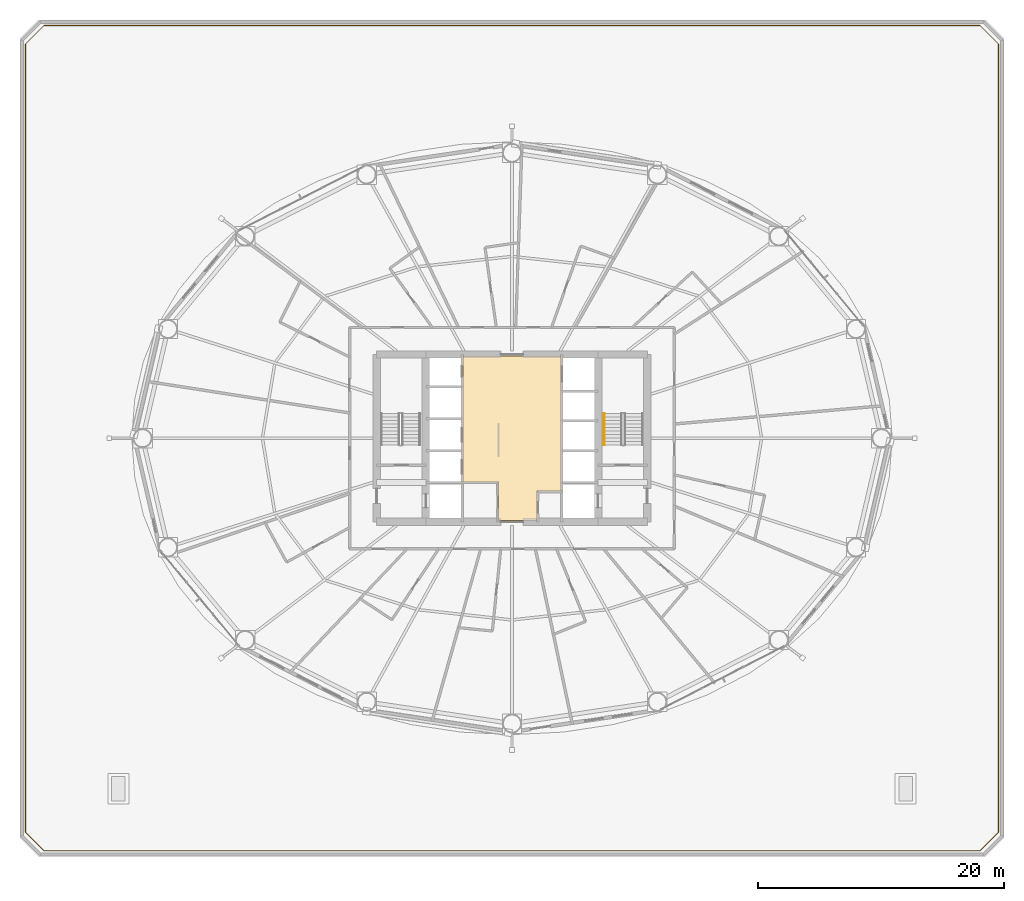
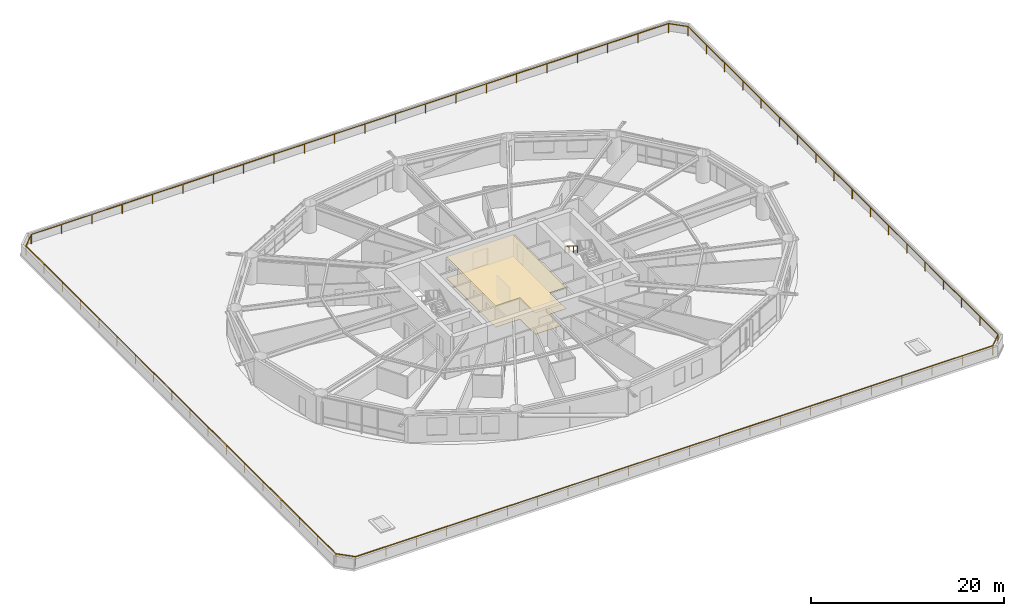
# One storey, part 29 of 30: 2 coverings, 2 railings.
"""IFC4 building model written with IfcOpenShell, lengths in metres."""

from ifc_helpers import new_model, si_unit, direction, frame, origin, origin_2d, place, context, subcontext, project, spatial, polyline, rectangle, outline, extrude, material, layer, layer_set, type_object, element, save


model = new_model("IFC4")

# Units and contexts
model_context = context("Model", 3, precision=1e-05, world=origin(), true_north=direction((0.0, 1.0)))
body_context = subcontext(model_context, "Body", "Model", "MODEL_VIEW")
ifc_project = project(units=[si_unit("LENGTHUNIT", "METRE"), si_unit("AREAUNIT", "SQUARE_METRE"), si_unit("VOLUMEUNIT", "CUBIC_METRE"), si_unit("PLANEANGLEUNIT", "RADIAN"), si_unit("MASSUNIT", "GRAM", prefix="KILO")], contexts=[model_context])

# Site, building, storey
site_placement = place(None, origin())
site = spatial("IfcSite", under=ifc_project, at=site_placement, CompositionType="ELEMENT")
building_placement = place(site_placement, origin())
building = spatial("IfcBuilding", under=site, at=building_placement, Name="Sarneth Arch Tower", CompositionType="ELEMENT")
storey_placement = place(building_placement, frame((0.0, 0.0, 28.199951171875)))
storey = spatial("IfcBuildingStorey", under=building, at=storey_placement, Name="L05", CompositionType="ELEMENT", Elevation=28.199951171875)

# Coverings
ifc_material_1 = material(Name="Perforated acoustic gypsum ceiling board")
ifc_layer_1 = layer(ifc_material_1, 0.02490234375)
ifc_layer_set_1 = layer_set([ifc_layer_1], Name="Perforated acoustic gypsum ceiling board")
covering_type_1 = type_object("IfcCoveringType", Name="COV-CEIL-GYP", PredefinedType="CEILING", material=ifc_layer_set_1)
covering_1_placement = place(storey_placement, frame((0.0, 0.0, 2.7099609375)))
element("IfcCovering", 1, at=covering_1_placement, inside=storey, type_object=covering_type_1, Name="L05 Lift lobby acoustic ceiling", PredefinedType="CEILING", context=body_context, shape_type="SweptSolid", body=[
    extrude(outline(polyline([(52.0, 37.699951171875), (50.050048828125, 37.699951171875), (50.050048828125, 35.300048828125), (46.89990234375, 35.300048828125), (46.89990234375, 38.449951171875), (44.0, 38.449951171875), (44.0, 48.699951171875), (52.0, 48.699951171875), (52.0, 37.699951171875)])), origin(), (0.0, 0.0, 1.0), 0.030029296875),
])
ifc_material_2 = material(Name="Honed granite stone flooring", Category="masonry")
ifc_layer_2 = layer(ifc_material_2, 0.030029296875)
ifc_layer_set_2 = layer_set([ifc_layer_2], Name="Honed granite stone flooring")
covering_type_2 = type_object("IfcCoveringType", Name="COV-FLR-STONE", PredefinedType="FLOORING", material=ifc_layer_set_2)
covering_2_placement = place(storey_placement, origin())
element("IfcCovering", 2, at=covering_2_placement, inside=storey, type_object=covering_type_2, Name="L05 Lift lobby granite flooring", PredefinedType="FLOORING", context=body_context, shape_type="SweptSolid", body=[
    extrude(outline(polyline([(52.0, 37.699951171875), (50.050048828125, 37.699951171875), (50.050048828125, 35.300048828125), (46.89990234375, 35.300048828125), (46.89990234375, 38.449951171875), (44.0, 38.449951171875), (44.0, 48.699951171875), (52.0, 48.699951171875), (52.0, 37.699951171875)])), origin(), (0.0, 0.0, 1.0), 0.030029296875),
])

# Railings
ifc_material_3 = material(Name="Laminated structural glass infill with Stainless Steel 316 top rail and posts", Category="steel")
railing_type_1 = type_object("IfcRailingType", Name="RAIL-BALC-1200", PredefinedType="BALUSTRADE", material=ifc_material_3)
railing_1_placement = place(storey_placement, frame((9.949951171875, 8.449951171875, 0.0)))
element("IfcRailing", 3, at=railing_1_placement, inside=storey, type_object=railing_type_1, Name="L05 Helical balcony glass balustrade", PredefinedType="BALUSTRADE", context=body_context, shape_type="SweptSolid", body=[
    extrude(rectangle(XDim=0.048095703125, YDim=0.048095703125, at=origin_2d()), frame((0.0, 0.0, 1.17578125), z_axis=(1.0, 0.0, 0.0), x_axis=(0.0, 1.0, 0.0)), (0.0, 0.0, 1.0), 76.10009765625),
    extrude(rectangle(XDim=0.048095703125, YDim=0.048095703125, at=origin_2d()), frame((76.10009765625, 0.0, 1.17578125), z_axis=(0.707106781187, 0.707106781187, 0.0), x_axis=(-0.707106781187, 0.707106781187, 0.0)), (0.0, 0.0, 1.0), 2.121337890625),
    extrude(rectangle(XDim=0.048095703125, YDim=0.048095703125, at=origin_2d()), frame((77.60009765625, 1.5, 1.17578125), z_axis=(0.0, 1.0, 0.0), x_axis=(-1.0, 0.0, 0.0)), (0.0, 0.0, 1.0), 64.10009765625),
    extrude(rectangle(XDim=0.048095703125, YDim=0.048095703125, at=origin_2d()), frame((77.60009765625, 65.60009765625, 1.17578125), z_axis=(-0.707106781187, 0.707106781187, 0.0), x_axis=(-0.707106781187, -0.707106781187, 0.0)), (0.0, 0.0, 1.0), 2.121337890625),
    extrude(rectangle(XDim=0.048095703125, YDim=0.048095703125, at=origin_2d()), frame((76.10009765625, 67.10009765625, 1.17578125), z_axis=(-1.0, 0.0, 0.0), x_axis=(0.0, -1.0, 0.0)), (0.0, 0.0, 1.0), 76.10009765625),
    extrude(rectangle(XDim=0.048095703125, YDim=0.048095703125, at=origin_2d()), frame((0.0, 67.10009765625, 1.17578125), z_axis=(-0.707106781187, -0.707106781187, 0.0), x_axis=(0.707106781187, -0.707106781187, 0.0)), (0.0, 0.0, 1.0), 2.121337890625),
    extrude(rectangle(XDim=0.048095703125, YDim=0.048095703125, at=origin_2d()), frame((-1.5, 65.60009765625, 1.17578125), z_axis=(0.0, -1.0, 0.0), x_axis=(1.0, 0.0, 0.0)), (0.0, 0.0, 1.0), 64.10009765625),
    extrude(rectangle(XDim=0.048095703125, YDim=0.048095703125, at=origin_2d()), frame((-1.5, 1.5, 1.17578125), z_axis=(0.707106781187, -0.707106781187, 0.0), x_axis=(0.707106781187, 0.707106781187, 0.0)), (0.0, 0.0, 1.0), 2.121337890625),
    extrude(rectangle(XDim=0.0419921875, YDim=0.0419921875, at=origin_2d()), origin(), (0.0, 0.0, 1.0), 1.15185546875),
    extrude(rectangle(XDim=0.0419921875, YDim=0.0419921875, at=origin_2d()), frame((3.623779296875, 0.0, 0.0)), (0.0, 0.0, 1.0), 1.15185546875),
    extrude(rectangle(XDim=0.0419921875, YDim=0.0419921875, at=origin_2d()), frame((7.24755859375, 0.0, 0.0)), (0.0, 0.0, 1.0), 1.15185546875),
    extrude(rectangle(XDim=0.0419921875, YDim=0.0419921875, at=origin_2d()), frame((10.871337890625, 0.0, 0.0)), (0.0, 0.0, 1.0), 1.15185546875),
    extrude(rectangle(XDim=0.0419921875, YDim=0.0419921875, at=origin_2d()), frame((14.495361328125, 0.0, 0.0)), (0.0, 0.0, 1.0), 1.15185546875),
    extrude(rectangle(XDim=0.0419921875, YDim=0.0419921875, at=origin_2d()), frame((18.119140625, 0.0, 0.0)), (0.0, 0.0, 1.0), 1.15185546875),
    extrude(rectangle(XDim=0.0419921875, YDim=0.0419921875, at=origin_2d()), frame((21.742919921875, 0.0, 0.0)), (0.0, 0.0, 1.0), 1.15185546875),
    extrude(rectangle(XDim=0.0419921875, YDim=0.0419921875, at=origin_2d()), frame((25.36669921875, 0.0, 0.0)), (0.0, 0.0, 1.0), 1.15185546875),
    extrude(rectangle(XDim=0.0419921875, YDim=0.0419921875, at=origin_2d()), frame((28.990478515625, 0.0, 0.0)), (0.0, 0.0, 1.0), 1.15185546875),
    extrude(rectangle(XDim=0.0419921875, YDim=0.0419921875, at=origin_2d()), frame((32.6142578125, 0.0, 0.0)), (0.0, 0.0, 1.0), 1.15185546875),
    extrude(rectangle(XDim=0.0419921875, YDim=0.0419921875, at=origin_2d()), frame((36.238037109375, 0.0, 0.0)), (0.0, 0.0, 1.0), 1.15185546875),
    extrude(rectangle(XDim=0.0419921875, YDim=0.0419921875, at=origin_2d()), frame((39.862060546875, 0.0, 0.0)), (0.0, 0.0, 1.0), 1.15185546875),
    extrude(rectangle(XDim=0.0419921875, YDim=0.0419921875, at=origin_2d()), frame((43.48583984375, 0.0, 0.0)), (0.0, 0.0, 1.0), 1.15185546875),
    extrude(rectangle(XDim=0.0419921875, YDim=0.0419921875, at=origin_2d()), frame((47.109619140625, 0.0, 0.0)), (0.0, 0.0, 1.0), 1.15185546875),
    extrude(rectangle(XDim=0.0419921875, YDim=0.0419921875, at=origin_2d()), frame((50.7333984375, 0.0, 0.0)), (0.0, 0.0, 1.0), 1.15185546875),
    extrude(rectangle(XDim=0.0419921875, YDim=0.0419921875, at=origin_2d()), frame((54.357177734375, 0.0, 0.0)), (0.0, 0.0, 1.0), 1.15185546875),
    extrude(rectangle(XDim=0.0419921875, YDim=0.0419921875, at=origin_2d()), frame((57.98095703125, 0.0, 0.0)), (0.0, 0.0, 1.0), 1.15185546875),
    extrude(rectangle(XDim=0.0419921875, YDim=0.0419921875, at=origin_2d()), frame((61.604736328125, 0.0, 0.0)), (0.0, 0.0, 1.0), 1.15185546875),
    extrude(rectangle(XDim=0.0419921875, YDim=0.0419921875, at=origin_2d()), frame((65.228759765625, 0.0, 0.0)), (0.0, 0.0, 1.0), 1.15185546875),
    extrude(rectangle(XDim=0.0419921875, YDim=0.0419921875, at=origin_2d()), frame((68.8525390625, 0.0, 0.0)), (0.0, 0.0, 1.0), 1.15185546875),
    extrude(rectangle(XDim=0.0419921875, YDim=0.0419921875, at=origin_2d()), frame((72.476318359375, 0.0, 0.0)), (0.0, 0.0, 1.0), 1.15185546875),
    extrude(rectangle(XDim=0.0419921875, YDim=0.0419921875, at=origin_2d()), frame((76.10009765625, 0.0, 0.0)), (0.0, 0.0, 1.0), 1.15185546875),
    extrude(rectangle(XDim=0.0419921875, YDim=0.0419921875, at=origin_2d()), frame((77.60009765625, 1.5, 0.0)), (0.0, 0.0, 1.0), 1.15185546875),
    extrude(rectangle(XDim=0.0419921875, YDim=0.0419921875, at=origin_2d()), frame((77.60009765625, 5.2705078125, 0.0)), (0.0, 0.0, 1.0), 1.15185546875),
    extrude(rectangle(XDim=0.0419921875, YDim=0.0419921875, at=origin_2d()), frame((77.60009765625, 9.041259765625, 0.0)), (0.0, 0.0, 1.0), 1.15185546875),
    extrude(rectangle(XDim=0.0419921875, YDim=0.0419921875, at=origin_2d()), frame((77.60009765625, 12.811767578125, 0.0)), (0.0, 0.0, 1.0), 1.15185546875),
    extrude(rectangle(XDim=0.0419921875, YDim=0.0419921875, at=origin_2d()), frame((77.60009765625, 16.582275390625, 0.0)), (0.0, 0.0, 1.0), 1.15185546875),
    extrude(rectangle(XDim=0.0419921875, YDim=0.0419921875, at=origin_2d()), frame((77.60009765625, 20.35302734375, 0.0)), (0.0, 0.0, 1.0), 1.15185546875),
    extrude(rectangle(XDim=0.0419921875, YDim=0.0419921875, at=origin_2d()), frame((77.60009765625, 24.12353515625, 0.0)), (0.0, 0.0, 1.0), 1.15185546875),
    extrude(rectangle(XDim=0.0419921875, YDim=0.0419921875, at=origin_2d()), frame((77.60009765625, 27.89404296875, 0.0)), (0.0, 0.0, 1.0), 1.15185546875),
    extrude(rectangle(XDim=0.0419921875, YDim=0.0419921875, at=origin_2d()), frame((77.60009765625, 31.664794921875, 0.0)), (0.0, 0.0, 1.0), 1.15185546875),
    extrude(rectangle(XDim=0.0419921875, YDim=0.0419921875, at=origin_2d()), frame((77.60009765625, 35.435302734375, 0.0)), (0.0, 0.0, 1.0), 1.15185546875),
    extrude(rectangle(XDim=0.0419921875, YDim=0.0419921875, at=origin_2d()), frame((77.60009765625, 39.2060546875, 0.0)), (0.0, 0.0, 1.0), 1.15185546875),
    extrude(rectangle(XDim=0.0419921875, YDim=0.0419921875, at=origin_2d()), frame((77.60009765625, 42.9765625, 0.0)), (0.0, 0.0, 1.0), 1.15185546875),
    extrude(rectangle(XDim=0.0419921875, YDim=0.0419921875, at=origin_2d()), frame((77.60009765625, 46.7470703125, 0.0)), (0.0, 0.0, 1.0), 1.15185546875),
    extrude(rectangle(XDim=0.0419921875, YDim=0.0419921875, at=origin_2d()), frame((77.60009765625, 50.517822265625, 0.0)), (0.0, 0.0, 1.0), 1.15185546875),
    extrude(rectangle(XDim=0.0419921875, YDim=0.0419921875, at=origin_2d()), frame((77.60009765625, 54.288330078125, 0.0)), (0.0, 0.0, 1.0), 1.15185546875),
    extrude(rectangle(XDim=0.0419921875, YDim=0.0419921875, at=origin_2d()), frame((77.60009765625, 58.058837890625, 0.0)), (0.0, 0.0, 1.0), 1.15185546875),
    extrude(rectangle(XDim=0.0419921875, YDim=0.0419921875, at=origin_2d()), frame((77.60009765625, 61.82958984375, 0.0)), (0.0, 0.0, 1.0), 1.15185546875),
    extrude(rectangle(XDim=0.0419921875, YDim=0.0419921875, at=origin_2d()), frame((77.60009765625, 65.60009765625, 0.0)), (0.0, 0.0, 1.0), 1.15185546875),
    extrude(rectangle(XDim=0.0419921875, YDim=0.0419921875, at=origin_2d()), frame((76.10009765625, 67.10009765625, 0.0)), (0.0, 0.0, 1.0), 1.15185546875),
    extrude(rectangle(XDim=0.0419921875, YDim=0.0419921875, at=origin_2d()), frame((72.476318359375, 67.10009765625, 0.0)), (0.0, 0.0, 1.0), 1.15185546875),
    extrude(rectangle(XDim=0.0419921875, YDim=0.0419921875, at=origin_2d()), frame((68.8525390625, 67.10009765625, 0.0)), (0.0, 0.0, 1.0), 1.15185546875),
    extrude(rectangle(XDim=0.0419921875, YDim=0.0419921875, at=origin_2d()), frame((65.228759765625, 67.10009765625, 0.0)), (0.0, 0.0, 1.0), 1.15185546875),
    extrude(rectangle(XDim=0.0419921875, YDim=0.0419921875, at=origin_2d()), frame((61.604736328125, 67.10009765625, 0.0)), (0.0, 0.0, 1.0), 1.15185546875),
    extrude(rectangle(XDim=0.0419921875, YDim=0.0419921875, at=origin_2d()), frame((57.98095703125, 67.10009765625, 0.0)), (0.0, 0.0, 1.0), 1.15185546875),
    extrude(rectangle(XDim=0.0419921875, YDim=0.0419921875, at=origin_2d()), frame((54.357177734375, 67.10009765625, 0.0)), (0.0, 0.0, 1.0), 1.15185546875),
    extrude(rectangle(XDim=0.0419921875, YDim=0.0419921875, at=origin_2d()), frame((50.7333984375, 67.10009765625, 0.0)), (0.0, 0.0, 1.0), 1.15185546875),
    extrude(rectangle(XDim=0.0419921875, YDim=0.0419921875, at=origin_2d()), frame((47.109619140625, 67.10009765625, 0.0)), (0.0, 0.0, 1.0), 1.15185546875),
    extrude(rectangle(XDim=0.0419921875, YDim=0.0419921875, at=origin_2d()), frame((43.48583984375, 67.10009765625, 0.0)), (0.0, 0.0, 1.0), 1.15185546875),
    extrude(rectangle(XDim=0.0419921875, YDim=0.0419921875, at=origin_2d()), frame((39.862060546875, 67.10009765625, 0.0)), (0.0, 0.0, 1.0), 1.15185546875),
    extrude(rectangle(XDim=0.0419921875, YDim=0.0419921875, at=origin_2d()), frame((36.238037109375, 67.10009765625, 0.0)), (0.0, 0.0, 1.0), 1.15185546875),
    extrude(rectangle(XDim=0.0419921875, YDim=0.0419921875, at=origin_2d()), frame((32.6142578125, 67.10009765625, 0.0)), (0.0, 0.0, 1.0), 1.15185546875),
    extrude(rectangle(XDim=0.0419921875, YDim=0.0419921875, at=origin_2d()), frame((28.990478515625, 67.10009765625, 0.0)), (0.0, 0.0, 1.0), 1.15185546875),
    extrude(rectangle(XDim=0.0419921875, YDim=0.0419921875, at=origin_2d()), frame((25.36669921875, 67.10009765625, 0.0)), (0.0, 0.0, 1.0), 1.15185546875),
    extrude(rectangle(XDim=0.0419921875, YDim=0.0419921875, at=origin_2d()), frame((21.742919921875, 67.10009765625, 0.0)), (0.0, 0.0, 1.0), 1.15185546875),
    extrude(rectangle(XDim=0.0419921875, YDim=0.0419921875, at=origin_2d()), frame((18.119140625, 67.10009765625, 0.0)), (0.0, 0.0, 1.0), 1.15185546875),
    extrude(rectangle(XDim=0.0419921875, YDim=0.0419921875, at=origin_2d()), frame((14.495361328125, 67.10009765625, 0.0)), (0.0, 0.0, 1.0), 1.15185546875),
    extrude(rectangle(XDim=0.0419921875, YDim=0.0419921875, at=origin_2d()), frame((10.871337890625, 67.10009765625, 0.0)), (0.0, 0.0, 1.0), 1.15185546875),
    extrude(rectangle(XDim=0.0419921875, YDim=0.0419921875, at=origin_2d()), frame((7.24755859375, 67.10009765625, 0.0)), (0.0, 0.0, 1.0), 1.15185546875),
    extrude(rectangle(XDim=0.0419921875, YDim=0.0419921875, at=origin_2d()), frame((3.623779296875, 67.10009765625, 0.0)), (0.0, 0.0, 1.0), 1.15185546875),
    extrude(rectangle(XDim=0.0419921875, YDim=0.0419921875, at=origin_2d()), frame((0.0, 67.10009765625, 0.0)), (0.0, 0.0, 1.0), 1.15185546875),
    extrude(rectangle(XDim=0.0419921875, YDim=0.0419921875, at=origin_2d()), frame((-1.5, 65.60009765625, 0.0)), (0.0, 0.0, 1.0), 1.15185546875),
    extrude(rectangle(XDim=0.0419921875, YDim=0.0419921875, at=origin_2d()), frame((-1.5, 61.82958984375, 0.0)), (0.0, 0.0, 1.0), 1.15185546875),
    extrude(rectangle(XDim=0.0419921875, YDim=0.0419921875, at=origin_2d()), frame((-1.5, 58.058837890625, 0.0)), (0.0, 0.0, 1.0), 1.15185546875),
    extrude(rectangle(XDim=0.0419921875, YDim=0.0419921875, at=origin_2d()), frame((-1.5, 54.288330078125, 0.0)), (0.0, 0.0, 1.0), 1.15185546875),
    extrude(rectangle(XDim=0.0419921875, YDim=0.0419921875, at=origin_2d()), frame((-1.5, 50.517822265625, 0.0)), (0.0, 0.0, 1.0), 1.15185546875),
    extrude(rectangle(XDim=0.0419921875, YDim=0.0419921875, at=origin_2d()), frame((-1.5, 46.7470703125, 0.0)), (0.0, 0.0, 1.0), 1.15185546875),
    extrude(rectangle(XDim=0.0419921875, YDim=0.0419921875, at=origin_2d()), frame((-1.5, 42.9765625, 0.0)), (0.0, 0.0, 1.0), 1.15185546875),
    extrude(rectangle(XDim=0.0419921875, YDim=0.0419921875, at=origin_2d()), frame((-1.5, 39.2060546875, 0.0)), (0.0, 0.0, 1.0), 1.15185546875),
    extrude(rectangle(XDim=0.0419921875, YDim=0.0419921875, at=origin_2d()), frame((-1.5, 35.435302734375, 0.0)), (0.0, 0.0, 1.0), 1.15185546875),
    extrude(rectangle(XDim=0.0419921875, YDim=0.0419921875, at=origin_2d()), frame((-1.5, 31.664794921875, 0.0)), (0.0, 0.0, 1.0), 1.15185546875),
    extrude(rectangle(XDim=0.0419921875, YDim=0.0419921875, at=origin_2d()), frame((-1.5, 27.89404296875, 0.0)), (0.0, 0.0, 1.0), 1.15185546875),
    extrude(rectangle(XDim=0.0419921875, YDim=0.0419921875, at=origin_2d()), frame((-1.5, 24.12353515625, 0.0)), (0.0, 0.0, 1.0), 1.15185546875),
    extrude(rectangle(XDim=0.0419921875, YDim=0.0419921875, at=origin_2d()), frame((-1.5, 20.35302734375, 0.0)), (0.0, 0.0, 1.0), 1.15185546875),
    extrude(rectangle(XDim=0.0419921875, YDim=0.0419921875, at=origin_2d()), frame((-1.5, 16.582275390625, 0.0)), (0.0, 0.0, 1.0), 1.15185546875),
    extrude(rectangle(XDim=0.0419921875, YDim=0.0419921875, at=origin_2d()), frame((-1.5, 12.811767578125, 0.0)), (0.0, 0.0, 1.0), 1.15185546875),
    extrude(rectangle(XDim=0.0419921875, YDim=0.0419921875, at=origin_2d()), frame((-1.5, 9.041259765625, 0.0)), (0.0, 0.0, 1.0), 1.15185546875),
    extrude(rectangle(XDim=0.0419921875, YDim=0.0419921875, at=origin_2d()), frame((-1.5, 5.2705078125, 0.0)), (0.0, 0.0, 1.0), 1.15185546875),
    extrude(rectangle(XDim=0.0419921875, YDim=0.0419921875, at=origin_2d()), frame((-1.5, 1.5, 0.0)), (0.0, 0.0, 1.0), 1.15185546875),
])
ifc_material_4 = material(Name="Brushed Stainless Steel 304 tubular handrail", Category="steel")
railing_type_2 = type_object("IfcRailingType", Name="RAIL-HANDRAIL-900", PredefinedType="HANDRAIL", material=ifc_material_4)
railing_2_placement = place(storey_placement, frame((55.5, 44.014892578125, 1.97998046875)))
element("IfcRailing", 4, at=railing_2_placement, inside=storey, type_object=railing_type_2, Name="L05 ST-2 stair handrail 2", PredefinedType="HANDRAIL", context=body_context, shape_type="SweptSolid", body=[
    extrude(rectangle(XDim=0.048095703125, YDim=0.048095703125, at=origin_2d()), frame((0.0, 0.0, 0.8759765625), z_axis=(0.0, -0.845465955043, 0.534029323973), x_axis=(1.0, 0.0, 0.0)), (0.0, 0.0, 1.0), 3.03369140625),
    extrude(rectangle(XDim=0.0419921875, YDim=0.0419921875, at=origin_2d()), origin(), (0.0, 0.0, 1.0), 0.851806640625),
    extrude(rectangle(XDim=0.0419921875, YDim=0.0419921875, at=origin_2d()), frame((0.0, -0.85498046875, 0.5400390625)), (0.0, 0.0, 1.0), 0.851806640625),
    extrude(rectangle(XDim=0.0419921875, YDim=0.0419921875, at=origin_2d()), frame((0.0, -1.7099609375, 1.080078125)), (0.0, 0.0, 1.0), 0.851806640625),
    extrude(rectangle(XDim=0.0419921875, YDim=0.0419921875, at=origin_2d()), frame((0.0, -2.56494140625, 1.6201171875)), (0.0, 0.0, 1.0), 0.851806640625),
])

save(model, "model.ifc")
